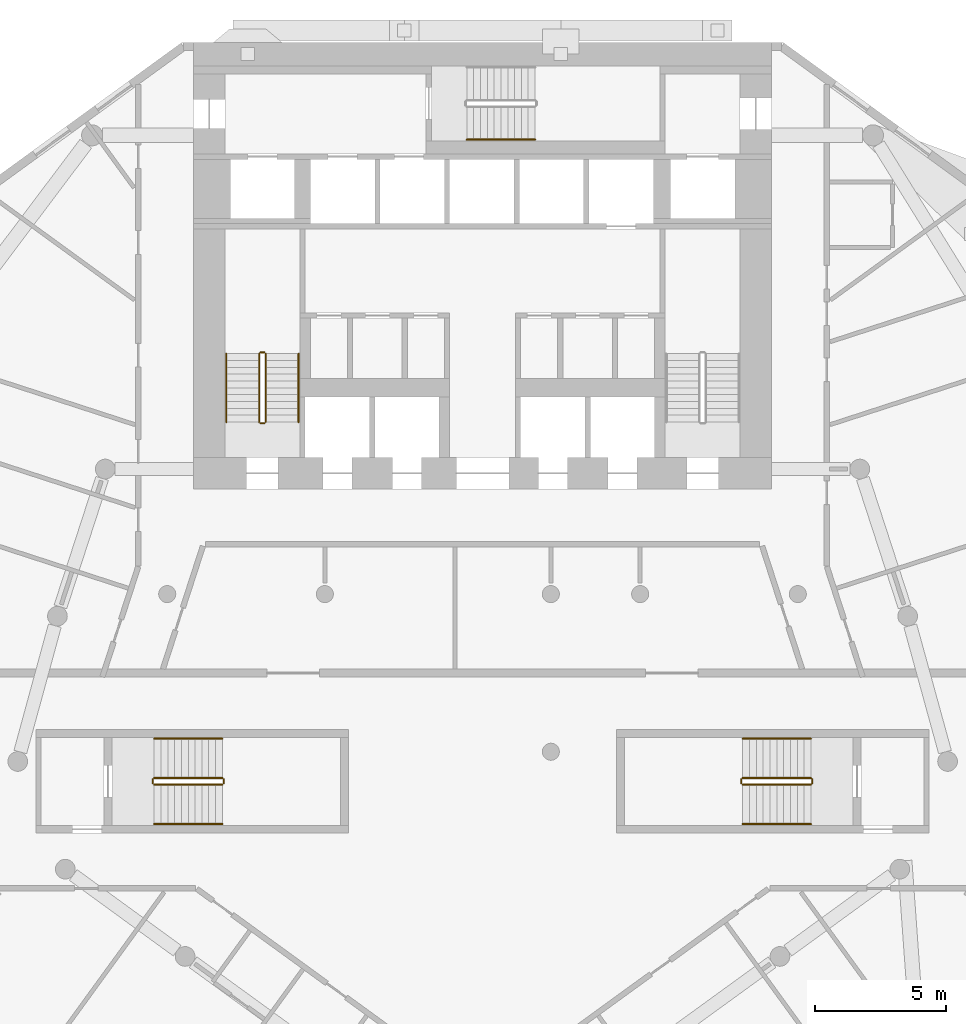
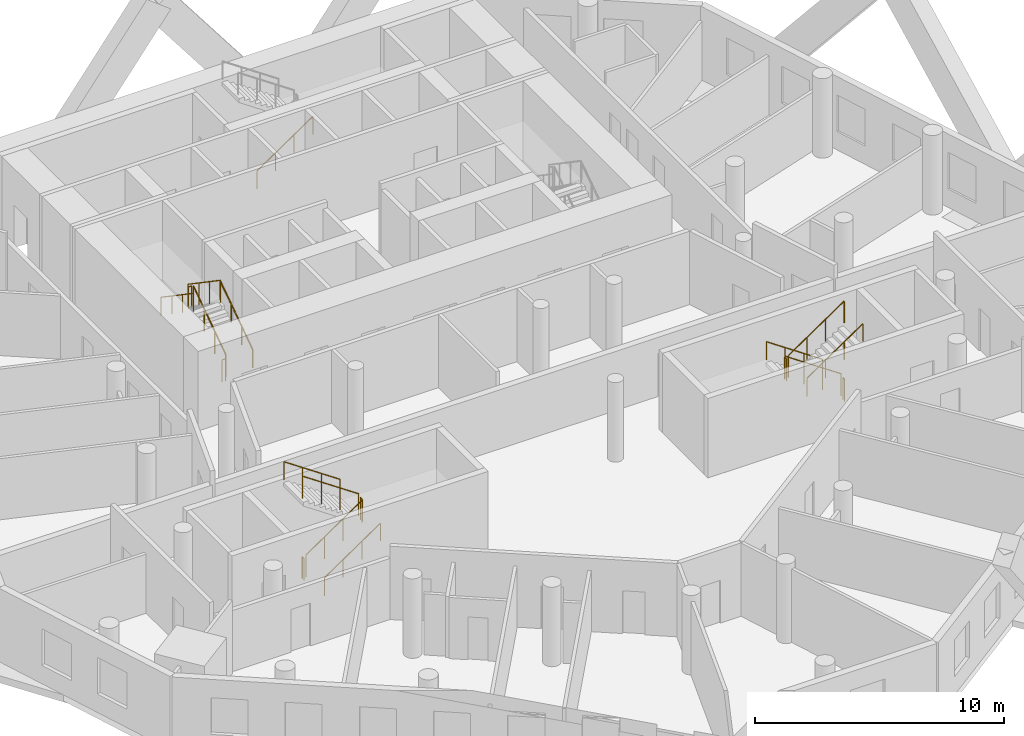
# One storey, part 9 of 10: 19 railings.
"""IFC4 building model written with IfcOpenShell, lengths in metres."""

from ifc_helpers import new_model, si_unit, direction, frame, origin, origin_2d, place, context, subcontext, project, spatial, circle, extrude, material, type_object, element, save


model = new_model("IFC4")

# Units and contexts
model_context = context("Model", 3, precision=1e-05, world=origin(), true_north=direction((0.0, 1.0)))
body_context = subcontext(model_context, "Body", "Model", "MODEL_VIEW")
ifc_project = project(units=[si_unit("LENGTHUNIT", "METRE"), si_unit("AREAUNIT", "SQUARE_METRE"), si_unit("VOLUMEUNIT", "CUBIC_METRE"), si_unit("PLANEANGLEUNIT", "RADIAN"), si_unit("MASSUNIT", "GRAM", prefix="KILO")], contexts=[model_context])

# Site, building, storey
site_placement = place(None, origin())
site = spatial("IfcSite", under=ifc_project, at=site_placement, CompositionType="ELEMENT")
building_placement = place(site_placement, origin())
building = spatial("IfcBuilding", under=site, at=building_placement, Name="White Candle Pilgrim Tower", CompositionType="ELEMENT")
storey_placement = place(building_placement, frame((0.0, 0.0, 78.0)))
storey = spatial("IfcBuildingStorey", under=building, at=storey_placement, Name="L16", CompositionType="ELEMENT", Elevation=78.0)

# Railings
ifc_material = material(Name="Stainless steel", Category="steel")
railing_type_1 = type_object("IfcRailingType", Name="Stair guard stainless steel 1100 mm", PredefinedType="GUARDRAIL", material=ifc_material)
railing_1_placement = place(storey_placement, frame((61.75, 73.550048828125, 0.17724609375)))
element("IfcRailing", 1, at=railing_1_placement, inside=storey, type_object=railing_type_1, Name="L16 ST1 stair guard 1", PredefinedType="GUARDRAIL", context=body_context, shape_type="SweptSolid", body=[
    extrude(circle(Radius=0.02392578125, at=origin_2d()), frame((0.0, 0.0, 1.076171875), z_axis=(0.0, 0.826215852431, 0.563353676824), x_axis=(-1.0, 0.0, 0.0)), (0.0, 0.0, 1.0), 3.146728515625),
    extrude(circle(Radius=0.02099609375, at=origin_2d()), origin(), (0.0, 0.0, 1.0), 1.052001953125),
    extrude(circle(Radius=0.02099609375, at=origin_2d()), frame((0.0, 0.86669921875, 0.5908203125)), (0.0, 0.0, 1.0), 1.052001953125),
    extrude(circle(Radius=0.02099609375, at=origin_2d()), frame((0.0, 1.733154296875, 1.181884765625)), (0.0, 0.0, 1.0), 1.052001953125),
    extrude(circle(Radius=0.02099609375, at=origin_2d()), frame((0.0, 2.599853515625, 1.772705078125)), (0.0, 0.0, 1.0), 1.052001953125),
])
railing_2_placement = place(storey_placement, frame((61.699951171875, 76.199951171875, 1.949951171875)))
element("IfcRailing", 2, at=railing_2_placement, inside=storey, type_object=railing_type_1, Name="L16 ST1 stair guard 2", PredefinedType="GUARDRAIL", context=body_context, shape_type="SweptSolid", body=[
    extrude(circle(Radius=0.02392578125, at=origin_2d()), frame((0.0, 0.0, 1.076171875), z_axis=(-1.0, 0.0, 0.0), x_axis=(0.0, -1.0, 0.0)), (0.0, 0.0, 1.0), 0.14990234375),
    extrude(circle(Radius=0.02099609375, at=origin_2d()), origin(), (0.0, 0.0, 1.0), 1.052001953125),
    extrude(circle(Radius=0.02099609375, at=origin_2d()), frame((-0.14990234375, 0.0, 0.0)), (0.0, 0.0, 1.0), 1.052001953125),
])
railing_3_placement = place(storey_placement, frame((61.5, 76.14990234375, 2.127197265625)))
element("IfcRailing", 3, at=railing_3_placement, inside=storey, type_object=railing_type_1, Name="L16 ST1 stair guard 3", PredefinedType="GUARDRAIL", context=body_context, shape_type="SweptSolid", body=[
    extrude(circle(Radius=0.02392578125, at=origin_2d()), frame((0.0, 0.0, 1.076171875), z_axis=(0.0, -0.826215852431, 0.563353676824), x_axis=(1.0, 0.0, 0.0)), (0.0, 0.0, 1.0), 3.146728515625),
    extrude(circle(Radius=0.02099609375, at=origin_2d()), origin(), (0.0, 0.0, 1.0), 1.052001953125),
    extrude(circle(Radius=0.02099609375, at=origin_2d()), frame((0.0, -0.86669921875, 0.5908203125)), (0.0, 0.0, 1.0), 1.052001953125),
    extrude(circle(Radius=0.02099609375, at=origin_2d()), frame((0.0, -1.733154296875, 1.181884765625)), (0.0, 0.0, 1.0), 1.052001953125),
    extrude(circle(Radius=0.02099609375, at=origin_2d()), frame((0.0, -2.599853515625, 1.772705078125)), (0.0, 0.0, 1.0), 1.052001953125),
])
railing_4_placement = place(storey_placement, frame((61.699951171875, 73.5, 0.0)))
element("IfcRailing", 4, at=railing_4_placement, inside=storey, type_object=railing_type_1, Name="L16 ST1 stair guard 4", PredefinedType="GUARDRAIL", context=body_context, shape_type="SweptSolid", body=[
    extrude(circle(Radius=0.02392578125, at=origin_2d()), frame((0.0, 0.0, 1.076171875), z_axis=(-1.0, 0.0, 0.0), x_axis=(0.0, -1.0, 0.0)), (0.0, 0.0, 1.0), 0.14990234375),
    extrude(circle(Radius=0.02099609375, at=origin_2d()), origin(), (0.0, 0.0, 1.0), 1.052001953125),
    extrude(circle(Radius=0.02099609375, at=origin_2d()), frame((-0.14990234375, 0.0, 0.0)), (0.0, 0.0, 1.0), 1.052001953125),
])
railing_5_placement = place(storey_placement, frame((82.5, 60.0, 0.17724609375)))
element("IfcRailing", 5, at=railing_5_placement, inside=storey, type_object=railing_type_1, Name="L16 ST4 stair guard 1", PredefinedType="GUARDRAIL", context=body_context, shape_type="SweptSolid", body=[
    extrude(circle(Radius=0.02392578125, at=origin_2d()), frame((0.0, 0.0, 1.076171875), z_axis=(-0.826240473404, 0.0, 0.563317565952), x_axis=(0.0, -1.0, 0.0)), (0.0, 0.0, 1.0), 3.14697265625),
    extrude(circle(Radius=0.02099609375, at=origin_2d()), origin(), (0.0, 0.0, 1.0), 1.052001953125),
    extrude(circle(Radius=0.02099609375, at=origin_2d()), frame((-0.86669921875, 0.0, 0.5908203125)), (0.0, 0.0, 1.0), 1.052001953125),
    extrude(circle(Radius=0.02099609375, at=origin_2d()), frame((-1.7333984375, 0.0, 1.181884765625)), (0.0, 0.0, 1.0), 1.052001953125),
    extrude(circle(Radius=0.02099609375, at=origin_2d()), frame((-2.60009765625, 0.0, 1.772705078125)), (0.0, 0.0, 1.0), 1.052001953125),
])
railing_6_placement = place(storey_placement, frame((79.85009765625, 59.949951171875, 1.949951171875)))
element("IfcRailing", 6, at=railing_6_placement, inside=storey, type_object=railing_type_1, Name="L16 ST4 stair guard 2", PredefinedType="GUARDRAIL", context=body_context, shape_type="SweptSolid", body=[
    extrude(circle(Radius=0.02392578125, at=origin_2d()), frame((0.0, 0.0, 1.076171875), z_axis=(0.0, -1.0, 0.0), x_axis=(1.0, 0.0, 0.0)), (0.0, 0.0, 1.0), 0.14990234375),
    extrude(circle(Radius=0.02099609375, at=origin_2d()), origin(), (0.0, 0.0, 1.0), 1.052001953125),
    extrude(circle(Radius=0.02099609375, at=origin_2d()), frame((0.0, -0.14990234375, 0.0)), (0.0, 0.0, 1.0), 1.052001953125),
])
railing_7_placement = place(storey_placement, frame((79.89990234375, 59.75, 2.127197265625)))
element("IfcRailing", 7, at=railing_7_placement, inside=storey, type_object=railing_type_1, Name="L16 ST4 stair guard 3", PredefinedType="GUARDRAIL", context=body_context, shape_type="SweptSolid", body=[
    extrude(circle(Radius=0.02392578125, at=origin_2d()), frame((0.0, 0.0, 1.076171875), z_axis=(0.826240473404, 0.0, 0.563317565952), x_axis=(0.0, 1.0, 0.0)), (0.0, 0.0, 1.0), 3.14697265625),
    extrude(circle(Radius=0.02099609375, at=origin_2d()), origin(), (0.0, 0.0, 1.0), 1.052001953125),
    extrude(circle(Radius=0.02099609375, at=origin_2d()), frame((0.86669921875, 0.0, 0.5908203125)), (0.0, 0.0, 1.0), 1.052001953125),
    extrude(circle(Radius=0.02099609375, at=origin_2d()), frame((1.7333984375, 0.0, 1.181884765625)), (0.0, 0.0, 1.0), 1.052001953125),
    extrude(circle(Radius=0.02099609375, at=origin_2d()), frame((2.60009765625, 0.0, 1.772705078125)), (0.0, 0.0, 1.0), 1.052001953125),
])
railing_8_placement = place(storey_placement, frame((82.550048828125, 59.949951171875, 0.0)))
element("IfcRailing", 8, at=railing_8_placement, inside=storey, type_object=railing_type_1, Name="L16 ST4 stair guard 4", PredefinedType="GUARDRAIL", context=body_context, shape_type="SweptSolid", body=[
    extrude(circle(Radius=0.02392578125, at=origin_2d()), frame((0.0, 0.0, 1.076171875), z_axis=(0.0, -1.0, 0.0), x_axis=(1.0, 0.0, 0.0)), (0.0, 0.0, 1.0), 0.14990234375),
    extrude(circle(Radius=0.02099609375, at=origin_2d()), origin(), (0.0, 0.0, 1.0), 1.052001953125),
    extrude(circle(Radius=0.02099609375, at=origin_2d()), frame((0.0, -0.14990234375, 0.0)), (0.0, 0.0, 1.0), 1.052001953125),
])
railing_9_placement = place(storey_placement, frame((57.5, 59.75, 0.17724609375)))
element("IfcRailing", 9, at=railing_9_placement, inside=storey, type_object=railing_type_1, Name="L16 ST5 stair guard 1", PredefinedType="GUARDRAIL", context=body_context, shape_type="SweptSolid", body=[
    extrude(circle(Radius=0.02392578125, at=origin_2d()), frame((0.0, 0.0, 1.076171875), z_axis=(0.826240473404, 0.0, 0.563317565952), x_axis=(0.0, 1.0, 0.0)), (0.0, 0.0, 1.0), 3.14697265625),
    extrude(circle(Radius=0.02099609375, at=origin_2d()), origin(), (0.0, 0.0, 1.0), 1.052001953125),
    extrude(circle(Radius=0.02099609375, at=origin_2d()), frame((0.86669921875, 0.0, 0.5908203125)), (0.0, 0.0, 1.0), 1.052001953125),
    extrude(circle(Radius=0.02099609375, at=origin_2d()), frame((1.7333984375, 0.0, 1.181884765625)), (0.0, 0.0, 1.0), 1.052001953125),
    extrude(circle(Radius=0.02099609375, at=origin_2d()), frame((2.60009765625, 0.0, 1.772705078125)), (0.0, 0.0, 1.0), 1.052001953125),
])
railing_10_placement = place(storey_placement, frame((60.14990234375, 59.800048828125, 1.949951171875)))
element("IfcRailing", 10, at=railing_10_placement, inside=storey, type_object=railing_type_1, Name="L16 ST5 stair guard 2", PredefinedType="GUARDRAIL", context=body_context, shape_type="SweptSolid", body=[
    extrude(circle(Radius=0.02392578125, at=origin_2d()), frame((0.0, 0.0, 1.076171875), z_axis=(0.0, 1.0, 0.0), x_axis=(-1.0, 0.0, 0.0)), (0.0, 0.0, 1.0), 0.14990234375),
    extrude(circle(Radius=0.02099609375, at=origin_2d()), origin(), (0.0, 0.0, 1.0), 1.052001953125),
    extrude(circle(Radius=0.02099609375, at=origin_2d()), frame((0.0, 0.14990234375, 0.0)), (0.0, 0.0, 1.0), 1.052001953125),
])
railing_11_placement = place(storey_placement, frame((60.10009765625, 60.0, 2.127197265625)))
element("IfcRailing", 11, at=railing_11_placement, inside=storey, type_object=railing_type_1, Name="L16 ST5 stair guard 3", PredefinedType="GUARDRAIL", context=body_context, shape_type="SweptSolid", body=[
    extrude(circle(Radius=0.02392578125, at=origin_2d()), frame((0.0, 0.0, 1.076171875), z_axis=(-0.826240473404, 0.0, 0.563317565952), x_axis=(0.0, -1.0, 0.0)), (0.0, 0.0, 1.0), 3.14697265625),
    extrude(circle(Radius=0.02099609375, at=origin_2d()), origin(), (0.0, 0.0, 1.0), 1.052001953125),
    extrude(circle(Radius=0.02099609375, at=origin_2d()), frame((-0.86669921875, 0.0, 0.5908203125)), (0.0, 0.0, 1.0), 1.052001953125),
    extrude(circle(Radius=0.02099609375, at=origin_2d()), frame((-1.7333984375, 0.0, 1.181884765625)), (0.0, 0.0, 1.0), 1.052001953125),
    extrude(circle(Radius=0.02099609375, at=origin_2d()), frame((-2.60009765625, 0.0, 1.772705078125)), (0.0, 0.0, 1.0), 1.052001953125),
])
railing_12_placement = place(storey_placement, frame((57.449951171875, 59.800048828125, 0.0)))
element("IfcRailing", 12, at=railing_12_placement, inside=storey, type_object=railing_type_1, Name="L16 ST5 stair guard 4", PredefinedType="GUARDRAIL", context=body_context, shape_type="SweptSolid", body=[
    extrude(circle(Radius=0.02392578125, at=origin_2d()), frame((0.0, 0.0, 1.076171875), z_axis=(0.0, 1.0, 0.0), x_axis=(-1.0, 0.0, 0.0)), (0.0, 0.0, 1.0), 0.14990234375),
    extrude(circle(Radius=0.02099609375, at=origin_2d()), origin(), (0.0, 0.0, 1.0), 1.052001953125),
    extrude(circle(Radius=0.02099609375, at=origin_2d()), frame((0.0, 0.14990234375, 0.0)), (0.0, 0.0, 1.0), 1.052001953125),
])
railing_type_2 = type_object("IfcRailingType", Name="Stair handrail stainless steel", PredefinedType="HANDRAIL", material=ifc_material)
railing_13_placement = place(storey_placement, frame((63.0, 73.550048828125, 0.17724609375)))
element("IfcRailing", 13, at=railing_13_placement, inside=storey, type_object=railing_type_2, Name="L16 ST1 stair handrail 1", PredefinedType="HANDRAIL", context=body_context, shape_type="SweptSolid", body=[
    extrude(circle(Radius=0.02392578125, at=origin_2d()), frame((0.0, 0.0, 0.8759765625), z_axis=(0.0, 0.826215852431, 0.563353676824), x_axis=(-1.0, 0.0, 0.0)), (0.0, 0.0, 1.0), 3.146728515625),
    extrude(circle(Radius=0.02099609375, at=origin_2d()), origin(), (0.0, 0.0, 1.0), 0.851806640625),
    extrude(circle(Radius=0.02099609375, at=origin_2d()), frame((0.0, 0.86669921875, 0.5908203125)), (0.0, 0.0, 1.0), 0.851806640625),
    extrude(circle(Radius=0.02099609375, at=origin_2d()), frame((0.0, 1.733154296875, 1.181884765625)), (0.0, 0.0, 1.0), 0.851806640625),
    extrude(circle(Radius=0.02099609375, at=origin_2d()), frame((0.0, 2.599853515625, 1.772705078125)), (0.0, 0.0, 1.0), 0.851806640625),
])
railing_14_placement = place(storey_placement, frame((60.25, 76.14990234375, 2.127197265625)))
element("IfcRailing", 14, at=railing_14_placement, inside=storey, type_object=railing_type_2, Name="L16 ST1 stair handrail 2", PredefinedType="HANDRAIL", context=body_context, shape_type="SweptSolid", body=[
    extrude(circle(Radius=0.02392578125, at=origin_2d()), frame((0.0, 0.0, 0.8759765625), z_axis=(0.0, -0.826215852431, 0.563353676824), x_axis=(1.0, 0.0, 0.0)), (0.0, 0.0, 1.0), 3.146728515625),
    extrude(circle(Radius=0.02099609375, at=origin_2d()), origin(), (0.0, 0.0, 1.0), 0.851806640625),
    extrude(circle(Radius=0.02099609375, at=origin_2d()), frame((0.0, -0.86669921875, 0.5908203125)), (0.0, 0.0, 1.0), 0.851806640625),
    extrude(circle(Radius=0.02099609375, at=origin_2d()), frame((0.0, -1.733154296875, 1.181884765625)), (0.0, 0.0, 1.0), 0.851806640625),
    extrude(circle(Radius=0.02099609375, at=origin_2d()), frame((0.0, -2.599853515625, 1.772705078125)), (0.0, 0.0, 1.0), 0.851806640625),
])
railing_15_placement = place(storey_placement, frame((69.39990234375, 84.300048828125, 0.17724609375)))
element("IfcRailing", 15, at=railing_15_placement, inside=storey, type_object=railing_type_2, Name="L16 ST3 stair handrail 1", PredefinedType="HANDRAIL", context=body_context, shape_type="SweptSolid", body=[
    extrude(circle(Radius=0.02392578125, at=origin_2d()), frame((0.0, 0.0, 0.8759765625), z_axis=(0.826240473404, 0.0, 0.563317565952), x_axis=(0.0, 1.0, 0.0)), (0.0, 0.0, 1.0), 3.14697265625),
    extrude(circle(Radius=0.02099609375, at=origin_2d()), origin(), (0.0, 0.0, 1.0), 0.851806640625),
    extrude(circle(Radius=0.02099609375, at=origin_2d()), frame((0.86669921875, 0.0, 0.5908203125)), (0.0, 0.0, 1.0), 0.851806640625),
    extrude(circle(Radius=0.02099609375, at=origin_2d()), frame((1.7333984375, 0.0, 1.181884765625)), (0.0, 0.0, 1.0), 0.851806640625),
    extrude(circle(Radius=0.02099609375, at=origin_2d()), frame((2.60009765625, 0.0, 1.772705078125)), (0.0, 0.0, 1.0), 0.851806640625),
])
railing_16_placement = place(storey_placement, frame((82.5, 61.5, 0.17724609375)))
element("IfcRailing", 16, at=railing_16_placement, inside=storey, type_object=railing_type_2, Name="L16 ST4 stair handrail 1", PredefinedType="HANDRAIL", context=body_context, shape_type="SweptSolid", body=[
    extrude(circle(Radius=0.02392578125, at=origin_2d()), frame((0.0, 0.0, 0.8759765625), z_axis=(-0.826240473404, 0.0, 0.563317565952), x_axis=(0.0, -1.0, 0.0)), (0.0, 0.0, 1.0), 3.14697265625),
    extrude(circle(Radius=0.02099609375, at=origin_2d()), origin(), (0.0, 0.0, 1.0), 0.851806640625),
    extrude(circle(Radius=0.02099609375, at=origin_2d()), frame((-0.86669921875, 0.0, 0.5908203125)), (0.0, 0.0, 1.0), 0.851806640625),
    extrude(circle(Radius=0.02099609375, at=origin_2d()), frame((-1.7333984375, 0.0, 1.181884765625)), (0.0, 0.0, 1.0), 0.851806640625),
    extrude(circle(Radius=0.02099609375, at=origin_2d()), frame((-2.60009765625, 0.0, 1.772705078125)), (0.0, 0.0, 1.0), 0.851806640625),
])
for number, where, name in (
    (17, (79.89990234375, 58.25, 2.127197265625), "L16 ST4 stair handrail 2"),
    (18, (57.5, 58.25, 0.17724609375), "L16 ST5 stair handrail 1"),
):
    element("IfcRailing", number, at=place(storey_placement, frame(where)), inside=storey, type_object=railing_type_2, Name=name, PredefinedType="HANDRAIL", context=body_context, shape_type="SweptSolid", body=[
        extrude(circle(Radius=0.02392578125, at=origin_2d()), frame((0.0, 0.0, 0.8759765625), z_axis=(0.826240473404, 0.0, 0.563317565952), x_axis=(0.0, 1.0, 0.0)), (0.0, 0.0, 1.0), 3.14697265625),
        extrude(circle(Radius=0.02099609375, at=origin_2d()), origin(), (0.0, 0.0, 1.0), 0.851806640625),
        extrude(circle(Radius=0.02099609375, at=origin_2d()), frame((0.86669921875, 0.0, 0.5908203125)), (0.0, 0.0, 1.0), 0.851806640625),
        extrude(circle(Radius=0.02099609375, at=origin_2d()), frame((1.7333984375, 0.0, 1.181884765625)), (0.0, 0.0, 1.0), 0.851806640625),
        extrude(circle(Radius=0.02099609375, at=origin_2d()), frame((2.60009765625, 0.0, 1.772705078125)), (0.0, 0.0, 1.0), 0.851806640625),
    ])
railing_17_placement = place(storey_placement, frame((60.10009765625, 61.5, 2.127197265625)))
element("IfcRailing", 19, at=railing_17_placement, inside=storey, type_object=railing_type_2, Name="L16 ST5 stair handrail 2", PredefinedType="HANDRAIL", context=body_context, shape_type="SweptSolid", body=[
    extrude(circle(Radius=0.02392578125, at=origin_2d()), frame((0.0, 0.0, 0.8759765625), z_axis=(-0.826240473404, 0.0, 0.563317565952), x_axis=(0.0, -1.0, 0.0)), (0.0, 0.0, 1.0), 3.14697265625),
    extrude(circle(Radius=0.02099609375, at=origin_2d()), origin(), (0.0, 0.0, 1.0), 0.851806640625),
    extrude(circle(Radius=0.02099609375, at=origin_2d()), frame((-0.86669921875, 0.0, 0.5908203125)), (0.0, 0.0, 1.0), 0.851806640625),
    extrude(circle(Radius=0.02099609375, at=origin_2d()), frame((-1.7333984375, 0.0, 1.181884765625)), (0.0, 0.0, 1.0), 0.851806640625),
    extrude(circle(Radius=0.02099609375, at=origin_2d()), frame((-2.60009765625, 0.0, 1.772705078125)), (0.0, 0.0, 1.0), 0.851806640625),
])

save(model, "model.ifc")
